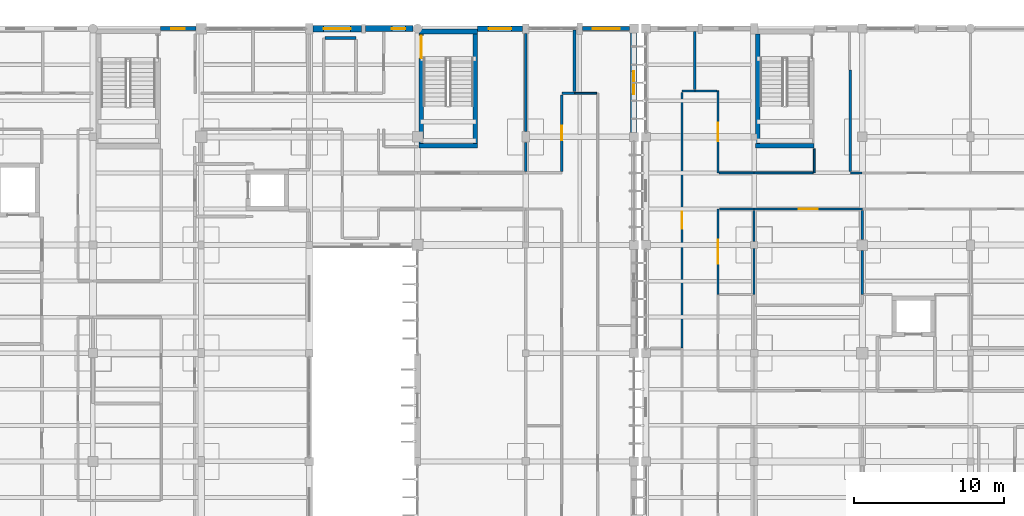
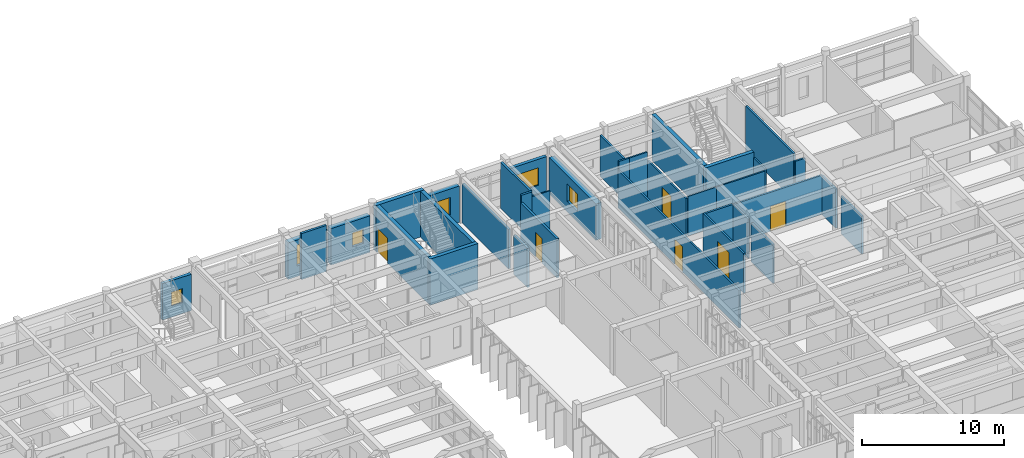
# One storey, part 42 of 55: 36 walls, 6 doors, 6 windows, 12 openings.
"""IFC4 building model written with IfcOpenShell, lengths in metres."""

from ifc_helpers import new_model, si_unit, direction, frame, frame_2d, origin, place, context, subcontext, project, spatial, rectangle, extrude, material, layer, layer_set, type_object, element, fill, save


model = new_model("IFC4")

# Units and contexts
model_context = context("Model", 3, precision=1e-05, world=origin(), true_north=direction((0.0, 1.0)))
body_context = subcontext(model_context, "Body", "Model", "MODEL_VIEW")
ifc_project = project(units=[si_unit("LENGTHUNIT", "METRE"), si_unit("AREAUNIT", "SQUARE_METRE"), si_unit("VOLUMEUNIT", "CUBIC_METRE"), si_unit("PLANEANGLEUNIT", "RADIAN"), si_unit("MASSUNIT", "GRAM", prefix="KILO")], contexts=[model_context])

# Site, building, storey
site_placement = place(None, origin())
site = spatial("IfcSite", under=ifc_project, at=site_placement, CompositionType="ELEMENT")
building_placement = place(site_placement, origin())
building = spatial("IfcBuilding", under=site, at=building_placement, Name="Steenspoor Specialist Clinic", CompositionType="ELEMENT")
storey_placement = place(building_placement, frame((0.0, 0.0, 13.199951171875)))
storey = spatial("IfcBuildingStorey", under=building, at=storey_placement, Name="L03", CompositionType="ELEMENT", Elevation=13.199951171875)

# Wall, opening, window
ifc_material_1 = material(Name="Extruded clay brick masonry", Category="masonry")
ifc_layer_1 = layer(ifc_material_1, 0.3798828125)
ifc_layer_set_1 = layer_set([ifc_layer_1], Name="Extruded clay brick masonry")
wall_type_1 = type_object("IfcWallType", Name="W-BRICK-380", PredefinedType="USERDEFINED", material=ifc_layer_set_1)
wall_1_placement = place(storey_placement, frame((106.800048828125, 108.35009765625, 0.0), z_axis=(0.0, 0.0, 1.0), x_axis=(1.0, 0.0, 0.0)))
wall_1 = element("IfcWall", 1, at=wall_1_placement, inside=storey, type_object=wall_type_1, Name="Exterior Brick Wall EW-V4-L03-0171", ObjectType="CAVITY VENEER", PredefinedType="USERDEFINED", context=body_context, shape_type="SweptSolid", body=[
    extrude(rectangle(XDim=2.974853515625, YDim=0.3798828125, at=frame_2d((1.4873046875, 0.0))), origin(), (0.0, 0.0, 1.0), 3.130126953125),
])
opening_1_placement = place(wall_1_placement, frame((0.737548828125, 0.0, 0.89990234375)))
opening_1 = element("IfcOpeningElement", 2, at=opening_1_placement, cuts=wall_1, Name="Opening WN-12", PredefinedType="OPENING", context=body_context, shape_type="SweptSolid", body=[
    extrude(rectangle(XDim=1.5, YDim=1.5, at=frame_2d((0.75, 0.75))), frame((0.0, 0.199951171875, 0.0), z_axis=(0.0, -1.0, 0.0), x_axis=(1.0, 0.0, 0.0)), (0.0, 0.0, 1.0), 0.39990234375),
])
ifc_material_2 = material(Name="Thermally broken aluminium and low-emissivity glass", Category="aluminium")
window_type_1 = type_object("IfcWindowType", Name="WN-EXT-150X150", PartitioningType="SINGLE_PANEL", PredefinedType="WINDOW", material=ifc_material_2)
window_1_placement = place(opening_1_placement, origin())
window_1 = element("IfcWindow", 3, at=window_1_placement, inside=storey, type_object=window_type_1, Name="Window 0199", OverallHeight=1.5, OverallWidth=1.5, PartitioningType="SINGLE_PANEL", PredefinedType="WINDOW", context=body_context, shape_type="SweptSolid", body=[
    extrude(rectangle(XDim=1.5, YDim=1.5, at=frame_2d((0.75, 0.75))), frame((0.0, 0.030029296875, 0.0), z_axis=(0.0, -1.0, 0.0), x_axis=(1.0, 0.0, 0.0)), (0.0, 0.0, 1.0), 0.06005859375),
])
fill(opening_1, window_1)

ifc_layer_2 = layer(ifc_material_1, 0.409912109375)
ifc_layer_set_2 = layer_set([ifc_layer_2], Name="Extruded clay brick masonry")
wall_type_2 = type_object("IfcWallType", Name="W-BRICK-410", PredefinedType="USERDEFINED", material=ifc_layer_set_2)
wall_2_placement = place(storey_placement, frame((99.340087890625, 108.35009765625, 0.0), z_axis=(0.0, 0.0, 1.0), x_axis=(1.0, 0.0, 0.0)))
wall_2 = element("IfcWall", 4, at=wall_2_placement, inside=storey, type_object=wall_type_2, Name="Exterior Brick Wall EW-V4-L03-0170", ObjectType="CAVITY VENEER", PredefinedType="USERDEFINED", context=body_context, shape_type="SweptSolid", body=[
    extrude(rectangle(XDim=3.159912109375, YDim=0.409912109375, at=frame_2d((1.580078125, 0.0))), origin(), (0.0, 0.0, 1.0), 3.130126953125),
])
opening_2_placement = place(wall_2_placement, frame((1.7451171875, 0.0, 0.949951171875)))
opening_2 = element("IfcOpeningElement", 5, at=opening_2_placement, cuts=wall_2, Name="Opening WN-21", PredefinedType="OPENING", context=body_context, shape_type="SweptSolid", body=[
    extrude(rectangle(XDim=0.89990234375, YDim=1.199951171875, at=frame_2d((0.449951171875, 0.60009765625))), frame((0.0, 0.21484375, 0.0), z_axis=(0.0, -1.0, 0.0), x_axis=(1.0, 0.0, 0.0)), (0.0, 0.0, 1.0), 0.429931640625),
])
window_type_2 = type_object("IfcWindowType", Name="WN-EXT-090X120", PartitioningType="SINGLE_PANEL", PredefinedType="WINDOW", material=ifc_material_2)
window_2_placement = place(opening_2_placement, origin())
window_2 = element("IfcWindow", 6, at=window_2_placement, inside=storey, type_object=window_type_2, Name="Window 0198", OverallHeight=1.199951171875, OverallWidth=0.89990234375, PartitioningType="SINGLE_PANEL", PredefinedType="WINDOW", context=body_context, shape_type="SweptSolid", body=[
    extrude(rectangle(XDim=0.89990234375, YDim=1.199951171875, at=frame_2d((0.449951171875, 0.60009765625))), frame((0.0, 0.030029296875, 0.0), z_axis=(0.0, -1.0, 0.0), x_axis=(1.0, 0.0, 0.0)), (0.0, 0.0, 1.0), 0.06005859375),
])
fill(opening_2, window_2)

ifc_layer_3 = layer(ifc_material_1, 0.43994140625)
ifc_layer_set_3 = layer_set([ifc_layer_3], Name="Extruded clay brick masonry")
wall_type_3 = type_object("IfcWallType", Name="W-BRICK-440", PredefinedType="USERDEFINED", material=ifc_layer_set_3)
wall_3_placement = place(storey_placement, frame((95.85009765625, 108.35009765625, 0.0), z_axis=(0.0, 0.0, 1.0), x_axis=(1.0, 0.0, 0.0)))
wall_3 = element("IfcWall", 7, at=wall_3_placement, inside=storey, type_object=wall_type_3, Name="Exterior Brick Wall EW-V4-L03-0169", ObjectType="CAVITY VENEER", PredefinedType="USERDEFINED", context=body_context, shape_type="SweptSolid", body=[
    extrude(rectangle(XDim=3.2099609375, YDim=0.43994140625, at=frame_2d((1.60498046875, 0.0))), origin(), (0.0, 0.0, 1.0), 3.130126953125),
])
opening_3_placement = place(wall_3_placement, frame((0.705078125, 0.0, 0.89990234375)))
opening_3 = element("IfcOpeningElement", 8, at=opening_3_placement, cuts=wall_3, Name="Opening WN-08", PredefinedType="OPENING", context=body_context, shape_type="SweptSolid", body=[
    extrude(rectangle(XDim=1.800048828125, YDim=1.800048828125, at=frame_2d((0.89990234375, 0.89990234375))), frame((0.0, 0.22998046875, 0.0), z_axis=(0.0, -1.0, 0.0), x_axis=(1.0, 0.0, 0.0)), (0.0, 0.0, 1.0), 0.4599609375),
])
window_type_3 = type_object("IfcWindowType", Name="WN-EXT-180X180", PartitioningType="SINGLE_PANEL", PredefinedType="WINDOW", material=ifc_material_2)
window_3_placement = place(opening_3_placement, origin())
window_3 = element("IfcWindow", 9, at=window_3_placement, inside=storey, type_object=window_type_3, Name="Window 0197", OverallHeight=1.800048828125, OverallWidth=1.800048828125, PartitioningType="SINGLE_PANEL", PredefinedType="WINDOW", context=body_context, shape_type="SweptSolid", body=[
    extrude(rectangle(XDim=1.800048828125, YDim=1.800048828125, at=frame_2d((0.89990234375, 0.89990234375))), frame((0.0, 0.030029296875, 0.0), z_axis=(0.0, -1.0, 0.0), x_axis=(1.0, 0.0, 0.0)), (0.0, 0.0, 1.0), 0.06005859375),
])
fill(opening_3, window_3)

wall_4_placement = place(storey_placement, frame((117.199951171875, 108.050048828125, 0.0), z_axis=(0.0, 0.0, 1.0), x_axis=(0.0, -1.0, 0.0)))
wall_4 = element("IfcWall", 10, at=wall_4_placement, inside=storey, type_object=wall_type_3, Name="Exterior Brick Wall EW-V4-L03-0173", ObjectType="CAVITY VENEER", PredefinedType="USERDEFINED", context=body_context, shape_type="SweptSolid", body=[
    extrude(rectangle(XDim=6.60009765625, YDim=0.43994140625, at=frame_2d((3.300048828125, 0.0))), origin(), (0.0, 0.0, 1.0), 3.130126953125),
])
opening_4_placement = place(wall_4_placement, frame((2.550048828125, 0.0, 0.89990234375)))
opening_4 = element("IfcOpeningElement", 11, at=opening_4_placement, cuts=wall_4, Name="Opening WN-12", PredefinedType="OPENING", context=body_context, shape_type="SweptSolid", body=[
    extrude(rectangle(XDim=1.5, YDim=1.5, at=frame_2d((0.75, 0.75))), frame((0.0, 0.22998046875, 0.0), z_axis=(0.0, -1.0, 0.0), x_axis=(1.0, 0.0, 0.0)), (0.0, 0.0, 1.0), 0.4599609375),
])
window_4_placement = place(opening_4_placement, origin())
window_4 = element("IfcWindow", 12, at=window_4_placement, inside=storey, type_object=window_type_1, Name="Window 0201", OverallHeight=1.5, OverallWidth=1.5, PartitioningType="SINGLE_PANEL", PredefinedType="WINDOW", context=body_context, shape_type="SweptSolid", body=[
    extrude(rectangle(XDim=1.5, YDim=1.5, at=frame_2d((0.75, 0.75))), frame((0.0, 0.030029296875, 0.0), z_axis=(0.0, -1.0, 0.0), x_axis=(1.0, 0.0, 0.0)), (0.0, 0.0, 1.0), 0.06005859375),
])
fill(opening_4, window_4)

# Wall
ifc_material_3 = material(Name="Gypsum acoustic clinical partition", Category="gypsum")
ifc_layer_4 = layer(ifc_material_3, 0.14990234375)
ifc_layer_set_4 = layer_set([ifc_layer_4], Name="Gypsum acoustic clinical partition")
wall_type_4 = type_object("IfcWallType", Name="W-CLIN-150", PredefinedType="PARTITIONING", material=ifc_layer_set_4)
wall_5_placement = place(storey_placement, frame((120.39990234375, 104.199951171875, 0.0), z_axis=(0.0, 0.0, 1.0), x_axis=(1.0, 0.0, 0.0)))
element("IfcWall", 13, at=wall_5_placement, inside=storey, type_object=wall_type_4, Name="Interior Partition IW-V6-L03-1624", PredefinedType="PARTITIONING", context=body_context, shape_type="SweptSolid", body=[
    extrude(rectangle(XDim=0.85009765625, YDim=0.14990234375, at=frame_2d((0.425048828125, 0.0))), origin(), (0.0, 0.0, 1.0), 3.949951171875),
])

# Wall, opening, door
wall_6_placement = place(storey_placement, frame((120.39990234375, 87.10009765625, 0.0), z_axis=(0.0, 0.0, 1.0), x_axis=(0.0, 1.0, 0.0)))
wall_6 = element("IfcWall", 14, at=wall_6_placement, inside=storey, type_object=wall_type_4, Name="Interior Partition IW-V6-L03-1625", PredefinedType="PARTITIONING", context=body_context, shape_type="SweptSolid", body=[
    extrude(rectangle(XDim=17.010009765625, YDim=0.14990234375, at=frame_2d((8.5048828125, 0.0))), origin(), (0.0, 0.0, 1.0), 3.215087890625),
])
opening_5_placement = place(wall_6_placement, frame((7.929931640625, 0.0, 0.0)))
opening_5 = element("IfcOpeningElement", 15, at=opening_5_placement, cuts=wall_6, Name="Opening D0495", PredefinedType="OPENING", context=body_context, shape_type="SweptSolid", body=[
    extrude(rectangle(XDim=1.14990234375, YDim=2.14990234375, at=frame_2d((0.574951171875, 1.074951171875))), frame((0.0, 0.0849609375, 0.0), z_axis=(0.0, -1.0, 0.0), x_axis=(1.0, 0.0, 0.0)), (0.0, 0.0, 1.0), 0.169921875),
])
ifc_material_4 = material(Name="Solid-core hardwood clinical door", Category="wood")
door_type_1 = type_object("IfcDoorType", Name="DT-CONS-115X215", OperationType="NOTDEFINED", PredefinedType="DOOR", material=ifc_material_4)
door_1_placement = place(opening_5_placement, origin())
door_1 = element("IfcDoor", 16, at=door_1_placement, inside=storey, type_object=door_type_1, Name="Clinical Door D0495", OperationType="SINGLE_SWING_RIGHT", OverallHeight=2.14990234375, OverallWidth=1.14990234375, PredefinedType="DOOR", context=body_context, shape_type="SweptSolid", body=[
    extrude(rectangle(XDim=1.14990234375, YDim=2.14990234375, at=frame_2d((0.574951171875, 1.074951171875))), frame((0.0, 0.02490234375, 0.0), z_axis=(0.0, -1.0, 0.0), x_axis=(1.0, 0.0, 0.0)), (0.0, 0.0, 1.0), 0.050048828125),
])
fill(opening_5, door_1)

wall_7_placement = place(storey_placement, frame((125.199951171875, 96.35009765625, 0.0), z_axis=(0.0, 0.0, 1.0), x_axis=(1.0, 0.0, 0.0)))
wall_7 = element("IfcWall", 17, at=wall_7_placement, inside=storey, type_object=wall_type_4, Name="Interior Partition IW-V6-L03-1626", PredefinedType="PARTITIONING", context=body_context, shape_type="SweptSolid", body=[
    extrude(rectangle(XDim=7.199951171875, YDim=0.14990234375, at=frame_2d((3.60009765625, 0.0))), origin(), (0.0, 0.0, 1.0), 3.35498046875),
])
opening_6_placement = place(wall_7_placement, frame((2.97509765625, 0.0, 0.0)))
opening_6 = element("IfcOpeningElement", 18, at=opening_6_placement, cuts=wall_7, Name="Opening D0497", PredefinedType="OPENING", context=body_context, shape_type="SweptSolid", body=[
    extrude(rectangle(XDim=1.25, YDim=2.14990234375, at=frame_2d((0.625, 1.074951171875))), frame((0.0, 0.0849609375, 0.0), z_axis=(0.0, -1.0, 0.0), x_axis=(1.0, 0.0, 0.0)), (0.0, 0.0, 1.0), 0.169921875),
])
ifc_material_5 = material(Name="Hygienic HPL clinical timber door", Category="wood")
door_type_2 = type_object("IfcDoorType", Name="DT-EXAM-125X215", OperationType="NOTDEFINED", PredefinedType="DOOR", material=ifc_material_5)
door_2_placement = place(opening_6_placement, origin())
door_2 = element("IfcDoor", 19, at=door_2_placement, inside=storey, type_object=door_type_2, Name="Clinical Door D0497", OperationType="SINGLE_SWING_RIGHT", OverallHeight=2.14990234375, OverallWidth=1.25, PredefinedType="DOOR", context=body_context, shape_type="SweptSolid", body=[
    extrude(rectangle(XDim=1.25, YDim=2.14990234375, at=frame_2d((0.625, 1.074951171875))), frame((0.0, 0.02490234375, 0.0), z_axis=(0.0, -1.0, 0.0), x_axis=(1.0, 0.0, 0.0)), (0.0, 0.0, 1.0), 0.050048828125),
])
fill(opening_6, door_2)

wall_8_placement = place(storey_placement, frame((122.800048828125, 90.64990234375, 0.0), z_axis=(0.0, 0.0, 1.0), x_axis=(0.0, 1.0, 0.0)))
wall_8 = element("IfcWall", 20, at=wall_8_placement, inside=storey, type_object=wall_type_4, Name="Interior Partition IW-V6-L03-1627", PredefinedType="PARTITIONING", context=body_context, shape_type="SweptSolid", body=[
    extrude(rectangle(XDim=5.7001953125, YDim=0.14990234375, at=frame_2d((2.85009765625, 0.0))), origin(), (0.0, 0.0, 1.0), 3.4150390625),
])
opening_7_placement = place(wall_8_placement, frame((2.050048828125, 0.0, 0.0)))
opening_7 = element("IfcOpeningElement", 21, at=opening_7_placement, cuts=wall_8, Name="Opening D0499", PredefinedType="OPENING", context=body_context, shape_type="SweptSolid", body=[
    extrude(rectangle(XDim=1.60009765625, YDim=2.25, at=frame_2d((0.800048828125, 1.125))), frame((0.0, 0.0849609375, 0.0), z_axis=(0.0, -1.0, 0.0), x_axis=(1.0, 0.0, 0.0)), (0.0, 0.0, 1.0), 0.169921875),
])
door_type_3 = type_object("IfcDoorType", Name="DT-PROC-160X225", OperationType="NOTDEFINED", PredefinedType="DOOR", material=ifc_material_5)
door_3_placement = place(opening_7_placement, origin())
door_3 = element("IfcDoor", 22, at=door_3_placement, inside=storey, type_object=door_type_3, Name="Clinical Door D0499", OperationType="SINGLE_SWING_RIGHT", OverallHeight=2.25, OverallWidth=1.60009765625, PredefinedType="DOOR", context=body_context, shape_type="SweptSolid", body=[
    extrude(rectangle(XDim=1.60009765625, YDim=2.25, at=frame_2d((0.800048828125, 1.125))), frame((0.0, 0.02490234375, 0.0), z_axis=(0.0, -1.0, 0.0), x_axis=(1.0, 0.0, 0.0)), (0.0, 0.0, 1.0), 0.050048828125),
])
fill(opening_7, door_3)

# Walls
wall_9_placement = place(storey_placement, frame((122.889892578125, 96.35009765625, 0.0), z_axis=(0.0, 0.0, 1.0), x_axis=(1.0, 0.0, 0.0)))
element("IfcWall", 23, at=wall_9_placement, inside=storey, type_object=wall_type_4, Name="Interior Partition IW-V6-L03-1628", PredefinedType="PARTITIONING", context=body_context, shape_type="SweptSolid", body=[
    extrude(rectangle(XDim=2.295166015625, YDim=0.14990234375, at=frame_2d((1.1474609375, 0.0))), origin(), (0.0, 0.0, 1.0), 3.385009765625),
])
wall_10_placement = place(storey_placement, frame((131.60009765625, 98.75, 0.0), z_axis=(0.0, 0.0, 1.0), x_axis=(1.0, 0.0, 0.0)))
element("IfcWall", 24, at=wall_10_placement, inside=storey, type_object=wall_type_4, Name="Interior Partition IW-V6-L03-1631", PredefinedType="PARTITIONING", context=body_context, shape_type="SweptSolid", body=[
    extrude(rectangle(XDim=0.784912109375, YDim=0.14990234375, at=frame_2d((0.392578125, 0.0))), origin(), (0.0, 0.0, 1.0), 3.35498046875),
])
wall_11_placement = place(storey_placement, frame((131.60009765625, 98.840087890625, 0.0), z_axis=(0.0, 0.0, 1.0), x_axis=(0.0, 1.0, 0.0)))
element("IfcWall", 25, at=wall_11_placement, inside=storey, type_object=wall_type_4, Name="Interior Partition IW-V6-L03-1632", PredefinedType="PARTITIONING", context=body_context, shape_type="SweptSolid", body=[
    extrude(rectangle(XDim=6.744873046875, YDim=0.14990234375, at=frame_2d((3.37255859375, 0.0))), origin(), (0.0, 0.0, 1.0), 3.949951171875),
])
wall_12_placement = place(storey_placement, frame((121.25, 104.2900390625, 0.0), z_axis=(0.0, 0.0, 1.0), x_axis=(0.0, 1.0, 0.0)))
element("IfcWall", 26, at=wall_12_placement, inside=storey, type_object=wall_type_4, Name="Interior Partition IW-V6-L03-1770", PredefinedType="PARTITIONING", context=body_context, shape_type="SweptSolid", body=[
    extrude(rectangle(XDim=3.85498046875, YDim=0.14990234375, at=frame_2d((1.927490234375, 0.0))), origin(), (0.0, 0.0, 1.0), 3.51513671875),
])
wall_13_placement = place(storey_placement, frame((132.39990234375, 90.6650390625, 0.0), z_axis=(0.0, 0.0, 1.0), x_axis=(0.0, 1.0, 0.0)))
element("IfcWall", 27, at=wall_13_placement, inside=storey, type_object=wall_type_4, Name="Interior Partition IW-V6-L03-1773", PredefinedType="PARTITIONING", context=body_context, shape_type="SweptSolid", body=[
    extrude(rectangle(XDim=2.919921875, YDim=0.14990234375, at=frame_2d((1.4599609375, 0.0))), origin(), (0.0, 0.0, 1.0), 3.235107421875),
])
wall_14_placement = place(storey_placement, frame((132.39990234375, 94.31494140625, 0.0), z_axis=(0.0, 0.0, 1.0), x_axis=(0.0, 1.0, 0.0)))
element("IfcWall", 28, at=wall_14_placement, inside=storey, type_object=wall_type_4, Name="Interior Partition IW-V6-L03-1774", PredefinedType="PARTITIONING", context=body_context, shape_type="SweptSolid", body=[
    extrude(rectangle(XDim=1.945068359375, YDim=0.14990234375, at=frame_2d((0.97265625, 0.0))), origin(), (0.0, 0.0, 1.0), 3.35498046875),
])
wall_15_placement = place(storey_placement, frame((125.199951171875, 90.6650390625, 0.0), z_axis=(0.0, 0.0, 1.0), x_axis=(0.0, 1.0, 0.0)))
element("IfcWall", 29, at=wall_15_placement, inside=storey, type_object=wall_type_4, Name="Interior Partition IW-V6-L03-1775", PredefinedType="PARTITIONING", context=body_context, shape_type="SweptSolid", body=[
    extrude(rectangle(XDim=3.044921875, YDim=0.14990234375, at=frame_2d((1.5224609375, 0.0))), origin(), (0.0, 0.0, 1.0), 3.35498046875),
])
wall_16_placement = place(storey_placement, frame((125.199951171875, 94.18994140625, 0.0), z_axis=(0.0, 0.0, 1.0), x_axis=(0.0, 1.0, 0.0)))
element("IfcWall", 30, at=wall_16_placement, inside=storey, type_object=wall_type_4, Name="Interior Partition IW-V6-L03-1776", PredefinedType="PARTITIONING", context=body_context, shape_type="SweptSolid", body=[
    extrude(rectangle(XDim=2.070068359375, YDim=0.14990234375, at=frame_2d((1.03515625, 0.0))), origin(), (0.0, 0.0, 1.0), 3.385009765625),
])
ifc_material_6 = material(Name="Concrete C40/50", Category="concrete")
ifc_layer_5 = layer(ifc_material_6, 0.330078125)
ifc_layer_set_5 = layer_set([ifc_layer_5], Name="Concrete C40/50")
wall_type_5 = type_object("IfcWallType", Name="W-ESW-330", PredefinedType="SHEAR", material=ifc_layer_set_5)
wall_17_placement = place(storey_placement, frame((102.89990234375, 108.14990234375, 0.0), z_axis=(0.0, 0.0, 1.0), x_axis=(1.0, 0.0, 0.0)))
element("IfcWall", 31, at=wall_17_placement, inside=storey, type_object=wall_type_5, Name="Core Shear Wall SW-ST-V4B-L03-N", PredefinedType="SHEAR", context=body_context, shape_type="SweptSolid", body=[
    extrude(rectangle(XDim=3.900146484375, YDim=0.330078125, at=frame_2d((1.9501953125, 0.0))), origin(), (0.0, 0.0, 1.0), 3.949951171875),
])
ifc_material_7 = material(Name="Gypsum studio partition board", Category="gypsum")
ifc_layer_6 = layer(ifc_material_7, 0.1201171875)
ifc_layer_set_6 = layer_set([ifc_layer_6], Name="Gypsum studio partition board")
wall_type_6 = type_object("IfcWallType", Name="W-PART-120", PredefinedType="PARTITIONING", material=ifc_layer_set_6)
wall_18_placement = place(storey_placement, frame((113.264892578125, 104.050048828125, 0.0), z_axis=(0.0, 0.0, 1.0), x_axis=(1.0, 0.0, 0.0)))
element("IfcWall", 32, at=wall_18_placement, inside=storey, type_object=wall_type_6, Name="Interior Partition IW-V4-L03-1647", PredefinedType="PARTITIONING", context=body_context, shape_type="SweptSolid", body=[
    extrude(rectangle(XDim=1.460205078125, YDim=0.1201171875, at=frame_2d((0.72998046875, 0.0))), origin(), (0.0, 0.0, 1.0), 3.51513671875),
])

# Wall, opening, door
wall_19_placement = place(storey_placement, frame((122.800048828125, 98.75, 0.0), z_axis=(0.0, 0.0, 1.0), x_axis=(0.0, 1.0, 0.0)))
wall_19 = element("IfcWall", 33, at=wall_19_placement, inside=storey, type_object=wall_type_6, Name="Interior Partition IW-V6-L03-1694", PredefinedType="PARTITIONING", context=body_context, shape_type="SweptSolid", body=[
    extrude(rectangle(XDim=5.449951171875, YDim=0.1201171875, at=frame_2d((2.72509765625, 0.0))), origin(), (0.0, 0.0, 1.0), 3.215087890625),
])
opening_8_placement = place(wall_19_placement, frame((2.10009765625, 0.0, 0.0)))
opening_8 = element("IfcOpeningElement", 34, at=opening_8_placement, cuts=wall_19, Name="Opening D0500", PredefinedType="OPENING", context=body_context, shape_type="SweptSolid", body=[
    extrude(rectangle(XDim=1.25, YDim=2.14990234375, at=frame_2d((0.625, 1.074951171875))), frame((0.0, 0.070068359375, 0.0), z_axis=(0.0, -1.0, 0.0), x_axis=(1.0, 0.0, 0.0)), (0.0, 0.0, 1.0), 0.14013671875),
])
door_4_placement = place(opening_8_placement, origin())
door_4 = element("IfcDoor", 35, at=door_4_placement, inside=storey, type_object=door_type_2, Name="Clinical Door D0500", OperationType="SINGLE_SWING_LEFT", OverallHeight=2.14990234375, OverallWidth=1.25, PredefinedType="DOOR", context=body_context, shape_type="SweptSolid", body=[
    extrude(rectangle(XDim=1.25, YDim=2.14990234375, at=frame_2d((0.625, 1.074951171875))), frame((0.0, 0.02490234375, 0.0), z_axis=(0.0, -1.0, 0.0), x_axis=(1.0, 0.0, 0.0)), (0.0, 0.0, 1.0), 0.050048828125),
])
fill(opening_8, door_4)

# Walls
wall_20_placement = place(storey_placement, frame((121.264892578125, 104.199951171875, 0.0), z_axis=(0.0, 0.0, 1.0), x_axis=(1.0, 0.0, 0.0)))
element("IfcWall", 36, at=wall_20_placement, inside=storey, type_object=wall_type_6, Name="Interior Partition IW-V6-L03-1695", PredefinedType="PARTITIONING", context=body_context, shape_type="SweptSolid", body=[
    extrude(rectangle(XDim=1.460205078125, YDim=0.1201171875, at=frame_2d((0.72998046875, 0.0))), origin(), (0.0, 0.0, 1.0), 3.949951171875),
])
wall_21_placement = place(storey_placement, frame((129.199951171875, 98.75, 0.0), z_axis=(0.0, 0.0, 1.0), x_axis=(0.0, 1.0, 0.0)))
element("IfcWall", 37, at=wall_21_placement, inside=storey, type_object=wall_type_6, Name="Interior Partition IW-V6-L03-1696", PredefinedType="PARTITIONING", context=body_context, shape_type="SweptSolid", body=[
    extrude(rectangle(XDim=1.60009765625, YDim=0.1201171875, at=frame_2d((0.800048828125, 0.0))), origin(), (0.0, 0.0, 1.0), 3.51513671875),
])
wall_22_placement = place(storey_placement, frame((125.199951171875, 98.75, 0.0), z_axis=(0.0, 0.0, 1.0), x_axis=(1.0, 0.0, 0.0)))
element("IfcWall", 38, at=wall_22_placement, inside=storey, type_object=wall_type_6, Name="Interior Partition IW-V6-L03-1697", PredefinedType="PARTITIONING", context=body_context, shape_type="SweptSolid", body=[
    extrude(rectangle(XDim=3.925048828125, YDim=0.1201171875, at=frame_2d((1.96240234375, 0.0))), origin(), (0.0, 0.0, 1.0), 3.385009765625),
])
wall_23_placement = place(storey_placement, frame((122.875, 98.75, 0.0), z_axis=(0.0, 0.0, 1.0), x_axis=(1.0, 0.0, 0.0)))
element("IfcWall", 39, at=wall_23_placement, inside=storey, type_object=wall_type_6, Name="Interior Partition IW-V6-L03-1698", PredefinedType="PARTITIONING", context=body_context, shape_type="SweptSolid", body=[
    extrude(rectangle(XDim=2.31005859375, YDim=0.1201171875, at=frame_2d((1.155029296875, 0.0))), origin(), (0.0, 0.0, 1.0), 3.385009765625),
])
ifc_material_8 = material(Name="Moisture-resistant gypsum plumbing wall", Category="gypsum")
ifc_layer_7 = layer(ifc_material_8, 0.179931640625)
ifc_layer_set_7 = layer_set([ifc_layer_7], Name="Moisture-resistant gypsum plumbing wall")
wall_type_7 = type_object("IfcWallType", Name="W-PLUMB-180", PredefinedType="PLUMBINGWALL", material=ifc_layer_set_7)
wall_24_placement = place(storey_placement, frame((96.655029296875, 107.72998046875, 0.0), z_axis=(0.0, 0.0, 1.0), x_axis=(1.0, 0.0, 0.0)))
element("IfcWall", 40, at=wall_24_placement, inside=storey, type_object=wall_type_7, Name="Interior Partition IW-V4-L03-1536", PredefinedType="PLUMBINGWALL", context=body_context, shape_type="SweptSolid", body=[
    extrude(rectangle(XDim=2.044921875, YDim=0.179931640625, at=frame_2d((1.0224609375, 0.0))), origin(), (0.0, 0.0, 1.0), 3.949951171875),
])
wall_25_placement = place(storey_placement, frame((112.39990234375, 104.050048828125, 0.0), z_axis=(0.0, 0.0, 1.0), x_axis=(1.0, 0.0, 0.0)))
element("IfcWall", 41, at=wall_25_placement, inside=storey, type_object=wall_type_7, Name="Interior Partition IW-V4-L03-1548", PredefinedType="PLUMBINGWALL", context=body_context, shape_type="SweptSolid", body=[
    extrude(rectangle(XDim=0.85009765625, YDim=0.179931640625, at=frame_2d((0.425048828125, 0.0))), origin(), (0.0, 0.0, 1.0), 3.949951171875),
])

# Wall, opening, door
wall_26_placement = place(storey_placement, frame((112.39990234375, 98.85498046875, 0.0), z_axis=(0.0, 0.0, 1.0), x_axis=(0.0, 1.0, 0.0)))
wall_26 = element("IfcWall", 42, at=wall_26_placement, inside=storey, type_object=wall_type_7, Name="Interior Partition IW-V4-L03-1549", PredefinedType="PLUMBINGWALL", context=body_context, shape_type="SweptSolid", body=[
    extrude(rectangle(XDim=5.090087890625, YDim=0.179931640625, at=frame_2d((2.544921875, 0.0))), origin(), (0.0, 0.0, 1.0), 3.35498046875),
])
opening_9_placement = place(wall_26_placement, frame((2.070068359375, 0.0, 0.0)))
opening_9 = element("IfcOpeningElement", 43, at=opening_9_placement, cuts=wall_26, Name="Opening D0278", PredefinedType="OPENING", context=body_context, shape_type="SweptSolid", body=[
    extrude(rectangle(XDim=0.949951171875, YDim=2.10009765625, at=frame_2d((0.47509765625, 1.050048828125))), frame((0.0, 0.10009765625, 0.0), z_axis=(0.0, -1.0, 0.0), x_axis=(1.0, 0.0, 0.0)), (0.0, 0.0, 1.0), 0.199951171875),
])
ifc_material_9 = material(Name="Moisture-resistant HPL sanitary door", Category="wood")
door_type_4 = type_object("IfcDoorType", Name="DT-WC-095X210", OperationType="NOTDEFINED", PredefinedType="DOOR", material=ifc_material_9)
door_5_placement = place(opening_9_placement, origin())
door_5 = element("IfcDoor", 44, at=door_5_placement, inside=storey, type_object=door_type_4, Name="Clinical Door D0278", OperationType="SINGLE_SWING_LEFT", OverallHeight=2.10009765625, OverallWidth=0.949951171875, PredefinedType="DOOR", context=body_context, shape_type="SweptSolid", body=[
    extrude(rectangle(XDim=0.949951171875, YDim=2.10009765625, at=frame_2d((0.47509765625, 1.050048828125))), frame((0.0, 0.02490234375, 0.0), z_axis=(0.0, -1.0, 0.0), x_axis=(1.0, 0.0, 0.0)), (0.0, 0.0, 1.0), 0.050048828125),
])
fill(opening_9, door_5)

# Walls
wall_27_placement = place(storey_placement, frame((113.25, 104.155029296875, 0.0), z_axis=(0.0, 0.0, 1.0), x_axis=(0.0, 1.0, 0.0)))
element("IfcWall", 45, at=wall_27_placement, inside=storey, type_object=wall_type_7, Name="Interior Partition IW-V4-L03-1704", PredefinedType="PLUMBINGWALL", context=body_context, shape_type="SweptSolid", body=[
    extrude(rectangle(XDim=4.090087890625, YDim=0.179931640625, at=frame_2d((2.044921875, 0.0))), origin(), (0.0, 0.0, 1.0), 3.949951171875),
])
wall_28_placement = place(storey_placement, frame((110.0, 98.85498046875, 0.0), z_axis=(0.0, 0.0, 1.0), x_axis=(0.0, 1.0, 0.0)))
element("IfcWall", 46, at=wall_28_placement, inside=storey, type_object=wall_type_7, Name="Interior Partition IW-V4-L03-1708", PredefinedType="PLUMBINGWALL", context=body_context, shape_type="SweptSolid", body=[
    extrude(rectangle(XDim=1.929931640625, YDim=0.179931640625, at=frame_2d((0.96484375, 0.0))), origin(), (0.0, 0.0, 1.0), 3.35498046875),
])
wall_29_placement = place(storey_placement, frame((110.0, 101.514892578125, 0.0), z_axis=(0.0, 0.0, 1.0), x_axis=(0.0, 1.0, 0.0)))
element("IfcWall", 47, at=wall_29_placement, inside=storey, type_object=wall_type_7, Name="Interior Partition IW-V4-L03-1709", PredefinedType="PLUMBINGWALL", context=body_context, shape_type="SweptSolid", body=[
    extrude(rectangle(XDim=6.4951171875, YDim=0.179931640625, at=frame_2d((3.24755859375, 0.0))), origin(), (0.0, 0.0, 1.0), 3.385009765625),
])

# Wall, opening, window
ifc_layer_8 = layer(ifc_material_1, 0.260009765625)
ifc_layer_set_8 = layer_set([ifc_layer_8], Name="Extruded clay brick masonry")
wall_type_8 = type_object("IfcWallType", Name="W-SCREEN-260", PredefinedType="SOLIDWALL", material=ifc_layer_set_8)
wall_30_placement = place(storey_placement, frame((85.699951171875, 108.35009765625, 0.0), z_axis=(0.0, 0.0, 1.0), x_axis=(1.0, 0.0, 0.0)))
wall_30 = element("IfcWall", 48, at=wall_30_placement, inside=storey, type_object=wall_type_8, Name="Exterior Brick Wall EW-V4-L03-0168", PredefinedType="SOLIDWALL", context=body_context, shape_type="SweptSolid", body=[
    extrude(rectangle(XDim=2.35009765625, YDim=0.260009765625, at=frame_2d((1.175048828125, 0.0))), origin(), (0.0, 0.0, 1.0), 3.130126953125),
])
opening_10_placement = place(wall_30_placement, frame((0.72509765625, 0.0, 0.949951171875)))
opening_10 = element("IfcOpeningElement", 49, at=opening_10_placement, cuts=wall_30, Name="Opening WN-21", PredefinedType="OPENING", context=body_context, shape_type="SweptSolid", body=[
    extrude(rectangle(XDim=0.89990234375, YDim=1.199951171875, at=frame_2d((0.449951171875, 0.60009765625))), frame((0.0, 0.14013671875, 0.0), z_axis=(0.0, -1.0, 0.0), x_axis=(1.0, 0.0, 0.0)), (0.0, 0.0, 1.0), 0.280029296875),
])
window_5_placement = place(opening_10_placement, origin())
window_5 = element("IfcWindow", 50, at=window_5_placement, inside=storey, type_object=window_type_2, Name="Window 0196", OverallHeight=1.199951171875, OverallWidth=0.89990234375, PartitioningType="SINGLE_PANEL", PredefinedType="WINDOW", context=body_context, shape_type="SweptSolid", body=[
    extrude(rectangle(XDim=0.89990234375, YDim=1.199951171875, at=frame_2d((0.449951171875, 0.60009765625))), frame((0.0, 0.030029296875, 0.0), z_axis=(0.0, -1.0, 0.0), x_axis=(1.0, 0.0, 0.0)), (0.0, 0.0, 1.0), 0.06005859375),
])
fill(opening_10, window_5)

wall_31_placement = place(storey_placement, frame((113.7900390625, 108.35009765625, 0.0), z_axis=(0.0, 0.0, 1.0), x_axis=(1.0, 0.0, 0.0)))
wall_31 = element("IfcWall", 51, at=wall_31_placement, inside=storey, type_object=wall_type_8, Name="Exterior Brick Wall EW-V4-L03-0172", PredefinedType="SOLIDWALL", context=body_context, shape_type="SweptSolid", body=[
    extrude(rectangle(XDim=3.10986328125, YDim=0.260009765625, at=frame_2d((1.554931640625, 0.0))), origin(), (0.0, 0.0, 1.0), 3.130126953125),
])
opening_11_placement = place(wall_31_placement, frame((0.655029296875, 0.0, 0.89990234375)))
opening_11 = element("IfcOpeningElement", 52, at=opening_11_placement, cuts=wall_31, Name="Opening WN-13", PredefinedType="OPENING", context=body_context, shape_type="SweptSolid", body=[
    extrude(rectangle(XDim=1.800048828125, YDim=1.5, at=frame_2d((0.89990234375, 0.75))), frame((0.0, 0.14013671875, 0.0), z_axis=(0.0, -1.0, 0.0), x_axis=(1.0, 0.0, 0.0)), (0.0, 0.0, 1.0), 0.280029296875),
])
window_type_4 = type_object("IfcWindowType", Name="WN-EXT-180X150", PartitioningType="SINGLE_PANEL", PredefinedType="WINDOW", material=ifc_material_2)
window_6_placement = place(opening_11_placement, origin())
window_6 = element("IfcWindow", 53, at=window_6_placement, inside=storey, type_object=window_type_4, Name="Window 0200", OverallHeight=1.5, OverallWidth=1.800048828125, PartitioningType="SINGLE_PANEL", PredefinedType="WINDOW", context=body_context, shape_type="SweptSolid", body=[
    extrude(rectangle(XDim=1.800048828125, YDim=1.5, at=frame_2d((0.89990234375, 0.75))), frame((0.0, 0.030029296875, 0.0), z_axis=(0.0, -1.0, 0.0), x_axis=(1.0, 0.0, 0.0)), (0.0, 0.0, 1.0), 0.06005859375),
])
fill(opening_11, window_6)

# Wall
ifc_layer_9 = layer(ifc_material_6, 0.300048828125)
ifc_layer_set_9 = layer_set([ifc_layer_9], Name="Concrete C40/50")
wall_type_9 = type_object("IfcWallType", Name="W-SW-300", PredefinedType="SHEAR", material=ifc_layer_set_9)
wall_32_placement = place(storey_placement, frame((102.89990234375, 100.550048828125, 0.0), z_axis=(0.0, 0.0, 1.0), x_axis=(1.0, 0.0, 0.0)))
element("IfcWall", 54, at=wall_32_placement, inside=storey, type_object=wall_type_9, Name="Core Shear Wall SW-ST-V4B-L03-S", PredefinedType="SHEAR", context=body_context, shape_type="SweptSolid", body=[
    extrude(rectangle(XDim=3.900146484375, YDim=0.300048828125, at=frame_2d((1.9501953125, 0.0))), origin(), (0.0, 0.0, 1.0), 3.949951171875),
])

# Wall, opening, door
wall_33_placement = place(storey_placement, frame((103.050048828125, 100.699951171875, 0.0), z_axis=(0.0, 0.0, 1.0), x_axis=(0.0, 1.0, 0.0)))
wall_33 = element("IfcWall", 55, at=wall_33_placement, inside=storey, type_object=wall_type_9, Name="Core Shear Wall SW-ST-V4B-L03-W", PredefinedType="SHEAR", context=body_context, shape_type="SweptSolid", body=[
    extrude(rectangle(XDim=7.300048828125, YDim=0.300048828125, at=frame_2d((3.64990234375, 0.0))), origin(), (0.0, 0.0, 1.0), 3.949951171875),
])
opening_12_placement = place(wall_33_placement, frame((5.679931640625, 0.0, 0.0)))
opening_12 = element("IfcOpeningElement", 56, at=opening_12_placement, cuts=wall_33, Name="Opening SD018", PredefinedType="OPENING", context=body_context, shape_type="SweptSolid", body=[
    extrude(rectangle(XDim=1.5, YDim=2.14990234375, at=frame_2d((0.75, 1.074951171875))), frame((0.0, 0.16015625, 0.0), z_axis=(0.0, -1.0, 0.0), x_axis=(1.0, 0.0, 0.0)), (0.0, 0.0, 1.0), 0.320068359375),
])
ifc_material_10 = material(Name="Fire-rated steel acoustic door", Category="steel")
door_type_5 = type_object("IfcDoorType", Name="DT-STAIR-150X215", OperationType="NOTDEFINED", PredefinedType="DOOR", material=ifc_material_10)
door_6_placement = place(opening_12_placement, origin())
door_6 = element("IfcDoor", 57, at=door_6_placement, inside=storey, type_object=door_type_5, Name="Exit Stair Fire Door SD018", OperationType="SINGLE_SWING_LEFT", OverallHeight=2.14990234375, OverallWidth=1.5, PredefinedType="DOOR", context=body_context, shape_type="SweptSolid", body=[
    extrude(rectangle(XDim=1.5, YDim=2.14990234375, at=frame_2d((0.75, 1.074951171875))), frame((0.0, 0.02490234375, 0.0), z_axis=(0.0, -1.0, 0.0), x_axis=(1.0, 0.0, 0.0)), (0.0, 0.0, 1.0), 0.050048828125),
])
fill(opening_12, door_6)

# Walls
wall_34_placement = place(storey_placement, frame((106.64990234375, 100.699951171875, 0.0), z_axis=(0.0, 0.0, 1.0), x_axis=(0.0, 1.0, 0.0)))
element("IfcWall", 58, at=wall_34_placement, inside=storey, type_object=wall_type_9, Name="Core Shear Wall SW-ST-V4B-L03-E", PredefinedType="SHEAR", context=body_context, shape_type="SweptSolid", body=[
    extrude(rectangle(XDim=7.300048828125, YDim=0.300048828125, at=frame_2d((3.64990234375, 0.0))), origin(), (0.0, 0.0, 1.0), 3.949951171875),
])
wall_35_placement = place(storey_placement, frame((125.300048828125, 100.550048828125, 0.0), z_axis=(0.0, 0.0, 1.0), x_axis=(1.0, 0.0, 0.0)))
element("IfcWall", 59, at=wall_35_placement, inside=storey, type_object=wall_type_9, Name="Core Shear Wall SW-ST-V6A-L03-S", PredefinedType="SHEAR", context=body_context, shape_type="SweptSolid", body=[
    extrude(rectangle(XDim=3.89990234375, YDim=0.300048828125, at=frame_2d((1.949951171875, 0.0))), origin(), (0.0, 0.0, 1.0), 3.949951171875),
])
wall_36_placement = place(storey_placement, frame((125.449951171875, 100.699951171875, 0.0), z_axis=(0.0, 0.0, 1.0), x_axis=(0.0, 1.0, 0.0)))
element("IfcWall", 60, at=wall_36_placement, inside=storey, type_object=wall_type_9, Name="Core Shear Wall SW-ST-V6A-L03-W", PredefinedType="SHEAR", context=body_context, shape_type="SweptSolid", body=[
    extrude(rectangle(XDim=7.300048828125, YDim=0.300048828125, at=frame_2d((3.64990234375, 0.0))), origin(), (0.0, 0.0, 1.0), 3.949951171875),
])

save(model, "model.ifc")
